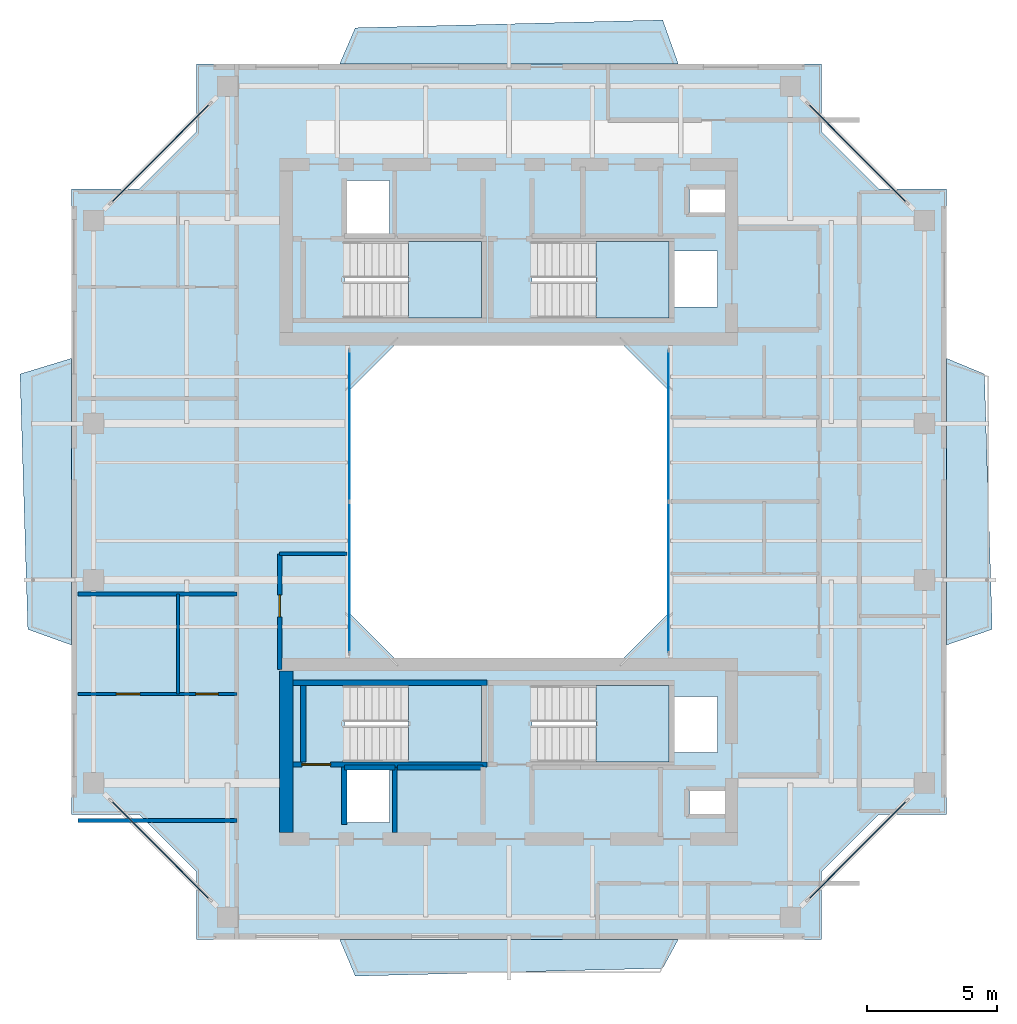
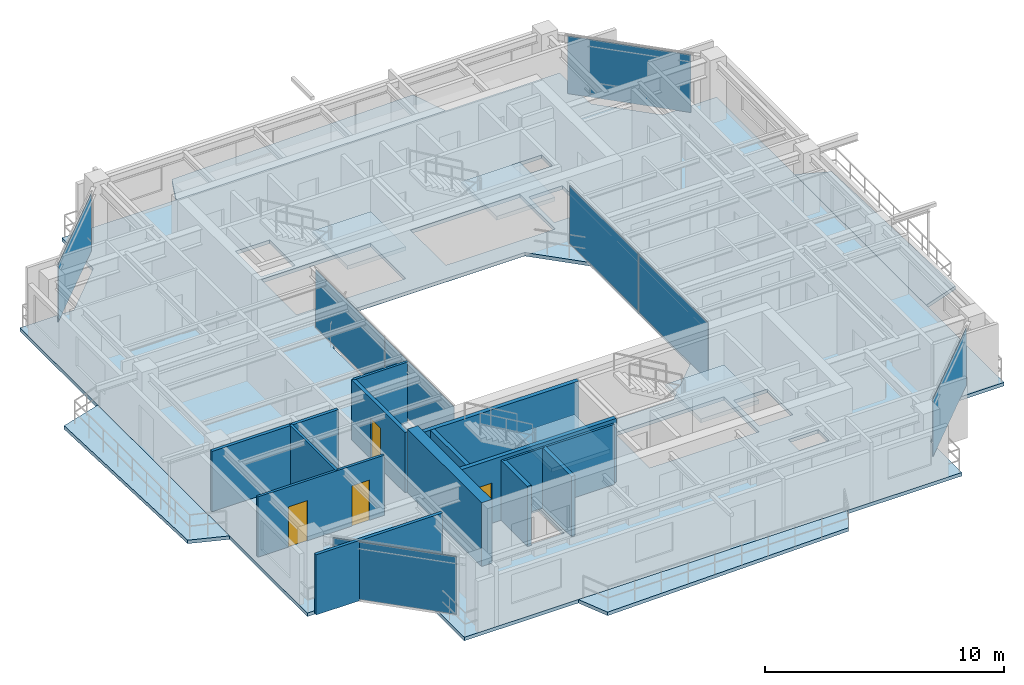
# One storey, part 9 of 15: 14 walls, 9 slabs, 8 plates, 4 doors, 4 openings, 10 elements without a shape of their own.
"""IFC4 building model written with IfcOpenShell, lengths in metres."""

from ifc_helpers import new_model, si_unit, direction, frame, frame_2d, origin, origin_2d, place, context, subcontext, project, spatial, polyline, rectangle, outline, extrude, source, transform, mapped, material, layer, layer_set, type_object, element, fill, aggregate, save


model = new_model("IFC4")

# Units and contexts
model_context = context("Model", 3, precision=1e-05, world=origin(), true_north=direction((0.0, 1.0)))
body_context = subcontext(model_context, "Body", "Model", "MODEL_VIEW")
ifc_project = project(units=[si_unit("LENGTHUNIT", "METRE"), si_unit("AREAUNIT", "SQUARE_METRE"), si_unit("VOLUMEUNIT", "CUBIC_METRE"), si_unit("PLANEANGLEUNIT", "RADIAN"), si_unit("MASSUNIT", "GRAM", prefix="KILO"), si_unit("THERMODYNAMICTEMPERATUREUNIT", "KELVIN"), si_unit("POWERUNIT", "WATT")], contexts=[model_context])

# Site, building, storey
site_placement = place(None, origin())
site = spatial("IfcSite", under=ifc_project, at=site_placement, CompositionType="ELEMENT")
building_placement = place(site_placement, origin())
building = spatial("IfcBuilding", under=site, at=building_placement, Name="Qiaomeng Ring Towers", CompositionType="ELEMENT")
storey_placement = place(building_placement, frame((0.0, 0.0, 206.75)))
storey = spatial("IfcBuildingStorey", under=building, at=storey_placement, Name="L60", CompositionType="ELEMENT", Elevation=206.75)

# Slabs
ifc_material_1 = material(Name="Concrete C40", Category="concrete")
ifc_layer_1 = layer(ifc_material_1, 0.179931640625, Name="Concrete C40")
ifc_layer_set_1 = layer_set([ifc_layer_1], Name="Concrete C40")
slab_type_1 = type_object("IfcSlabType", Name="STR-SL-180", PredefinedType="FLOOR", material=ifc_layer_set_1)
slab_1_placement = place(storey_placement, frame((0.0, 0.0, -0.179931640625)))
element("IfcSlab", 1, at=slab_1_placement, inside=storey, type_object=slab_type_1, Name="L60 Tower 1 Annular Floor Slab", PredefinedType="FLOOR", context=body_context, shape_type="SweptSolid", body=[
    extrude(outline(polyline([(7.0, 6.199951171875), (31.0, 6.199951171875), (31.0, 8.800048828125), (33.199951171875, 11.0), (35.800048828125, 11.0), (35.800048828125, 35.0), (33.199951171875, 35.0), (31.0, 37.199951171875), (31.0, 39.800048828125), (7.0, 39.800048828125), (7.0, 37.199951171875), (4.800048828125, 35.0), (2.199951171875, 35.0), (2.199951171875, 11.0), (4.800048828125, 11.0), (7.0, 8.800048828125), (7.0, 6.199951171875)]), holes=[polyline([(12.780029296875, 10.679931640625), (12.780029296875, 12.820068359375), (14.419921875, 12.820068359375), (14.419921875, 10.679931640625), (12.780029296875, 10.679931640625)]), polyline([(12.679931640625, 13.010009765625), (12.679931640625, 15.949951171875), (17.949951171875, 15.949951171875), (17.949951171875, 13.010009765625), (12.679931640625, 13.010009765625)]), polyline([(23.199951171875, 29.199951171875), (25.199951171875, 27.199951171875), (25.199951171875, 18.800048828125), (23.199951171875, 16.800048828125), (14.800048828125, 16.800048828125), (12.800048828125, 18.800048828125), (12.800048828125, 27.199951171875), (14.800048828125, 29.199951171875), (23.199951171875, 29.199951171875)]), polyline([(12.679931640625, 32.989990234375), (17.949951171875, 32.989990234375), (17.949951171875, 30.050048828125), (12.679931640625, 30.050048828125), (12.679931640625, 32.989990234375)]), polyline([(19.8798828125, 32.989990234375), (25.14990234375, 32.989990234375), (25.14990234375, 30.050048828125), (19.8798828125, 30.050048828125), (19.8798828125, 32.989990234375)]), polyline([(12.780029296875, 33.179931640625), (12.780029296875, 35.320068359375), (14.419921875, 35.320068359375), (14.419921875, 33.179931640625), (12.780029296875, 33.179931640625)]), polyline([(25.919921875, 11.89990234375), (27.360107421875, 11.89990234375), (27.360107421875, 11.0), (25.919921875, 11.0), (25.919921875, 11.89990234375)]), polyline([(25.360107421875, 15.52001953125), (27.0, 15.52001953125), (27.0, 13.3798828125), (25.360107421875, 13.3798828125), (25.360107421875, 15.52001953125)]), polyline([(19.8798828125, 13.010009765625), (19.8798828125, 15.949951171875), (25.14990234375, 15.949951171875), (25.14990234375, 13.010009765625), (19.8798828125, 13.010009765625)]), polyline([(25.360107421875, 32.6201171875), (27.0, 32.6201171875), (27.0, 30.47998046875), (25.360107421875, 30.47998046875), (25.360107421875, 32.6201171875)]), polyline([(25.919921875, 35.0), (27.360107421875, 35.0), (27.360107421875, 34.10009765625), (25.919921875, 34.10009765625), (25.919921875, 35.0)])]), origin(), (0.0, 0.0, 1.0), 0.179931640625),
])
ifc_layer_2 = layer(ifc_material_1, 0.179931640625, Name="Concrete C40")
ifc_layer_set_2 = layer_set([ifc_layer_2], Name="Concrete C40")
slab_type_2 = type_object("IfcSlabType", Name="STR-SL-BAL", PredefinedType="FLOOR", material=ifc_layer_set_2)
slab_2_placement = place(storey_placement, frame((0.0, 0.0, -0.179931640625)))
element("IfcSlab", 2, at=slab_2_placement, inside=storey, type_object=slab_type_2, Name="L60 Tower 1 S Faceted Balcony Slab", PredefinedType="FLOOR", context=body_context, shape_type="SweptSolid", body=[
    extrude(outline(polyline([(25.5, 6.199951171875), (24.89990234375, 5.090087890625), (13.10009765625, 4.7900390625), (12.5, 6.199951171875), (25.5, 6.199951171875)])), origin(), (0.0, 0.0, 1.0), 0.179931640625),
])
slab_3_placement = place(storey_placement, frame((0.0, 0.0, -0.179931640625)))
element("IfcSlab", 3, at=slab_3_placement, inside=storey, type_object=slab_type_2, Name="L60 Tower 1 E Faceted Balcony Slab", PredefinedType="FLOOR", context=body_context, shape_type="SweptSolid", body=[
    extrude(outline(polyline([(37.25, 27.89990234375), (37.550048828125, 18.10009765625), (35.800048828125, 17.5), (35.800048828125, 28.5), (37.25, 27.89990234375)])), origin(), (0.0, 0.0, 1.0), 0.179931640625),
])
slab_4_placement = place(storey_placement, frame((0.0, 0.0, -0.179931640625)))
element("IfcSlab", 4, at=slab_4_placement, inside=storey, type_object=slab_type_2, Name="L60 Tower 1 N Faceted Balcony Slab", PredefinedType="FLOOR", context=body_context, shape_type="SweptSolid", body=[
    extrude(outline(polyline([(12.5, 39.800048828125), (13.10009765625, 41.18994140625), (24.89990234375, 41.489990234375), (25.5, 39.800048828125), (12.5, 39.800048828125)])), origin(), (0.0, 0.0, 1.0), 0.179931640625),
])
slab_5_placement = place(storey_placement, frame((0.0, 0.0, -0.179931640625)))
element("IfcSlab", 5, at=slab_5_placement, inside=storey, type_object=slab_type_2, Name="L60 Tower 1 W Faceted Balcony Slab", PredefinedType="FLOOR", context=body_context, shape_type="SweptSolid", body=[
    extrude(outline(polyline([(0.530029296875, 18.10009765625), (0.22998046875, 27.89990234375), (2.199951171875, 28.5), (2.199951171875, 17.5), (0.530029296875, 18.10009765625)])), origin(), (0.0, 0.0, 1.0), 0.179931640625),
])

# Stair, slab
ifc_material_2 = material(Name="Precast concrete C40", Category="concrete")
stair_type = type_object("IfcStairType", Name="ARC-ST-325", PredefinedType="HALF_TURN_STAIR", material=ifc_material_2)
stair_1_placement = place(storey_placement, origin())
stair_1 = element("IfcStair", 6, at=stair_1_placement, inside=storey, type_object=stair_type, Name="L60 Tower 1 North Stair 1", PredefinedType="HALF_TURN_STAIR")
ifc_layer_3 = layer(ifc_material_1, 0.199951171875, Name="Concrete C40")
ifc_layer_set_3 = layer_set([ifc_layer_3], Name="Concrete C40")
slab_type_3 = type_object("IfcSlabType", Name="STR-SL-LANDING", PredefinedType="LANDING", material=ifc_layer_set_3)
slab_6_placement = place(storey_placement, frame((0.0, 0.0, 1.425048828125)))
slab_6 = element("IfcSlab", 7, at=slab_6_placement, type_object=slab_type_3, Name="ST1 landing 1", PredefinedType="LANDING", context=body_context, shape_type="SweptSolid", body=[
    extrude(outline(polyline([(15.139892578125, 30.050048828125), (17.949951171875, 30.050048828125), (17.949951171875, 32.989990234375), (15.139892578125, 32.989990234375), (15.139892578125, 30.050048828125)])), origin(), (0.0, 0.0, 1.0), 0.199951171875),
])
aggregate(stair_1, [slab_6])

stair_2_placement = place(storey_placement, origin())
stair_2 = element("IfcStair", 8, at=stair_2_placement, inside=storey, type_object=stair_type, Name="L60 Tower 1 North Stair 2", PredefinedType="HALF_TURN_STAIR")
slab_7_placement = place(storey_placement, frame((0.0, 0.0, 1.425048828125)))
slab_7 = element("IfcSlab", 9, at=slab_7_placement, type_object=slab_type_3, Name="ST2 landing 1", PredefinedType="LANDING", context=body_context, shape_type="SweptSolid", body=[
    extrude(outline(polyline([(22.340087890625, 30.050048828125), (25.14990234375, 30.050048828125), (25.14990234375, 32.989990234375), (22.340087890625, 32.989990234375), (22.340087890625, 30.050048828125)])), origin(), (0.0, 0.0, 1.0), 0.199951171875),
])
aggregate(stair_2, [slab_7])

stair_3_placement = place(storey_placement, origin())
stair_3 = element("IfcStair", 10, at=stair_3_placement, inside=storey, type_object=stair_type, Name="L60 Tower 1 South Stair 3", PredefinedType="HALF_TURN_STAIR")
slab_8_placement = place(storey_placement, frame((0.0, 0.0, 1.425048828125)))
slab_8 = element("IfcSlab", 11, at=slab_8_placement, type_object=slab_type_3, Name="ST3 landing 1", PredefinedType="LANDING", context=body_context, shape_type="SweptSolid", body=[
    extrude(outline(polyline([(15.139892578125, 13.010009765625), (17.949951171875, 13.010009765625), (17.949951171875, 15.949951171875), (15.139892578125, 15.949951171875), (15.139892578125, 13.010009765625)])), origin(), (0.0, 0.0, 1.0), 0.199951171875),
])
aggregate(stair_3, [slab_8])

stair_4_placement = place(storey_placement, origin())
stair_4 = element("IfcStair", 12, at=stair_4_placement, inside=storey, type_object=stair_type, Name="L60 Tower 1 South Stair 4", PredefinedType="HALF_TURN_STAIR")
slab_9_placement = place(storey_placement, frame((0.0, 0.0, 1.425048828125)))
slab_9 = element("IfcSlab", 13, at=slab_9_placement, type_object=slab_type_3, Name="ST4 landing 1", PredefinedType="LANDING", context=body_context, shape_type="SweptSolid", body=[
    extrude(outline(polyline([(22.340087890625, 13.010009765625), (25.14990234375, 13.010009765625), (25.14990234375, 15.949951171875), (22.340087890625, 15.949951171875), (22.340087890625, 13.010009765625)])), origin(), (0.0, 0.0, 1.0), 0.199951171875),
])
aggregate(stair_4, [slab_9])

# Curtain wall, plates
ifc_material_3 = material(Name="Fluorocarbon dark-grey aluminium", Category="aluminium")
ifc_layer_4 = layer(ifc_material_3, 0.139892578125, Name="Fluorocarbon dark-grey aluminium")
ifc_layer_set_4 = layer_set([ifc_layer_4], Name="Fluorocarbon dark-grey aluminium")
curtain_wall_type_1 = type_object("IfcCurtainWallType", Name="ARC-CW-4", PredefinedType="NOTDEFINED", material=ifc_layer_set_4)
curtain_wall_1_placement = place(storey_placement, origin())
curtain_wall_1 = element("IfcCurtainWall", 14, at=curtain_wall_1_placement, inside=storey, type_object=curtain_wall_type_1, Name="L60 Curtain Wall CW4", PredefinedType="NOTDEFINED")
ifc_material_4 = material(Name="Low-E dark-grey laminated double glazing", Category="glass")
ifc_layer_5 = layer(ifc_material_4, 0.028076171875, Name="Low-E dark-grey laminated double glazing")
ifc_layer_set_5 = layer_set([ifc_layer_5], Name="Low-E dark-grey laminated double glazing")
plate_type = type_object("IfcPlateType", Name="ARC-CWP-DARK", PredefinedType="CURTAIN_PANEL", material=ifc_layer_set_5)
shared_shape_1 = source(origin(), body_context, "Body", "SweptSolid", [
    extrude(rectangle(XDim=5.75244140625, YDim=0.028076171875, at=origin_2d()), origin(), (0.0, 0.0, 1.0), 2.93994140625),
])
plate_1_placement = place(storey_placement, frame((12.8798828125, 20.09130859375, 0.06494140625), z_axis=(0.0, 0.0, 1.0), x_axis=(0.0, 1.0, 0.0)))
plate_1 = element("IfcPlate", 15, at=plate_1_placement, type_object=plate_type, Name="CW4 panel 1.1", PredefinedType="CURTAIN_PANEL", context=body_context, shape_type="MappedRepresentation", body=[
    mapped(shared_shape_1, transform((0.0, 0.0, 0.0), x_axis=(1.0, 0.0, 0.0), y_axis=(0.0, 1.0, 0.0), z_axis=(0.0, 0.0, 1.0), scale=1.0)),
])
plate_2_placement = place(storey_placement, frame((12.8798828125, 25.90869140625, 0.06494140625), z_axis=(0.0, 0.0, 1.0), x_axis=(0.0, 1.0, 0.0)))
plate_2 = element("IfcPlate", 16, at=plate_2_placement, type_object=plate_type, Name="CW4 panel 2.1", PredefinedType="CURTAIN_PANEL", context=body_context, shape_type="MappedRepresentation", body=[
    mapped(shared_shape_1, transform((0.0, 0.0, 0.0), x_axis=(1.0, 0.0, 0.0), y_axis=(0.0, 1.0, 0.0), z_axis=(0.0, 0.0, 1.0), scale=1.0)),
])
aggregate(curtain_wall_1, [plate_1, plate_2])

curtain_wall_2_placement = place(storey_placement, origin())
curtain_wall_2 = element("IfcCurtainWall", 17, at=curtain_wall_2_placement, inside=storey, type_object=curtain_wall_type_1, Name="L60 Curtain Wall CW4", PredefinedType="NOTDEFINED")
plate_3_placement = place(storey_placement, frame((25.1201171875, 20.09130859375, 0.06494140625), z_axis=(0.0, 0.0, 1.0), x_axis=(0.0, 1.0, 0.0)))
plate_3 = element("IfcPlate", 18, at=plate_3_placement, type_object=plate_type, Name="CW4 panel 1.1", PredefinedType="CURTAIN_PANEL", context=body_context, shape_type="MappedRepresentation", body=[
    mapped(shared_shape_1, transform((0.0, 0.0, 0.0), x_axis=(1.0, 0.0, 0.0), y_axis=(0.0, 1.0, 0.0), z_axis=(0.0, 0.0, 1.0), scale=1.0)),
])
plate_4_placement = place(storey_placement, frame((25.1201171875, 25.90869140625, 0.06494140625), z_axis=(0.0, 0.0, 1.0), x_axis=(0.0, 1.0, 0.0)))
plate_4 = element("IfcPlate", 19, at=plate_4_placement, type_object=plate_type, Name="CW4 panel 2.1", PredefinedType="CURTAIN_PANEL", context=body_context, shape_type="MappedRepresentation", body=[
    mapped(shared_shape_1, transform((0.0, 0.0, 0.0), x_axis=(1.0, 0.0, 0.0), y_axis=(0.0, 1.0, 0.0), z_axis=(0.0, 0.0, 1.0), scale=1.0)),
])
aggregate(curtain_wall_2, [plate_3, plate_4])

# Curtain wall, plate
ifc_layer_6 = layer(ifc_material_3, 0.14990234375, Name="Fluorocarbon dark-grey aluminium")
ifc_layer_set_6 = layer_set([ifc_layer_6], Name="Fluorocarbon dark-grey aluminium")
curtain_wall_type_2 = type_object("IfcCurtainWallType", Name="ARC-CW-3", PredefinedType="NOTDEFINED", material=ifc_layer_set_6)
curtain_wall_3_placement = place(storey_placement, origin())
curtain_wall_3 = element("IfcCurtainWall", 20, at=curtain_wall_3_placement, inside=storey, type_object=curtain_wall_type_2, Name="L60 Curtain Wall CW3", PredefinedType="NOTDEFINED")
shared_shape_2 = source(origin(), body_context, "Body", "SweptSolid", [
    extrude(rectangle(XDim=5.3330078125, YDim=0.028076171875, at=origin_2d()), origin(), (0.0, 0.0, 1.0), 2.93994140625),
])
plate_5_placement = place(storey_placement, frame((32.375, 9.625, 0.06494140625), z_axis=(0.0, 0.0, 1.0), x_axis=(0.707106781187, 0.707106781187, 0.0)))
plate_5 = element("IfcPlate", 21, at=plate_5_placement, type_object=plate_type, Name="CW3 panel 1.1", PredefinedType="CURTAIN_PANEL", context=body_context, shape_type="MappedRepresentation", body=[
    mapped(shared_shape_2, transform((0.0, 0.0, 0.0), x_axis=(1.0, 0.0, 0.0), y_axis=(0.0, 1.0, 0.0), z_axis=(0.0, 0.0, 1.0), scale=1.0)),
])
aggregate(curtain_wall_3, [plate_5])

curtain_wall_4_placement = place(storey_placement, origin())
curtain_wall_4 = element("IfcCurtainWall", 22, at=curtain_wall_4_placement, inside=storey, type_object=curtain_wall_type_2, Name="L60 Curtain Wall CW3", PredefinedType="NOTDEFINED")
plate_6_placement = place(storey_placement, frame((32.375, 36.375, 0.06494140625), z_axis=(0.0, 0.0, 1.0), x_axis=(-0.707106781187, 0.707106781187, 0.0)))
plate_6 = element("IfcPlate", 23, at=plate_6_placement, type_object=plate_type, Name="CW3 panel 1.1", PredefinedType="CURTAIN_PANEL", context=body_context, shape_type="MappedRepresentation", body=[
    mapped(shared_shape_2, transform((0.0, 0.0, 0.0), x_axis=(1.0, 0.0, 0.0), y_axis=(0.0, 1.0, 0.0), z_axis=(0.0, 0.0, 1.0), scale=1.0)),
])
aggregate(curtain_wall_4, [plate_6])

curtain_wall_5_placement = place(storey_placement, origin())
curtain_wall_5 = element("IfcCurtainWall", 24, at=curtain_wall_5_placement, inside=storey, type_object=curtain_wall_type_2, Name="L60 Curtain Wall CW3", PredefinedType="NOTDEFINED")
plate_7_placement = place(storey_placement, frame((5.625, 36.375, 0.06494140625), z_axis=(0.0, 0.0, 1.0), x_axis=(-0.707106781187, -0.707106781187, 0.0)))
plate_7 = element("IfcPlate", 25, at=plate_7_placement, type_object=plate_type, Name="CW3 panel 1.1", PredefinedType="CURTAIN_PANEL", context=body_context, shape_type="MappedRepresentation", body=[
    mapped(shared_shape_2, transform((0.0, 0.0, 0.0), x_axis=(1.0, 0.0, 0.0), y_axis=(0.0, 1.0, 0.0), z_axis=(0.0, 0.0, 1.0), scale=1.0)),
])
aggregate(curtain_wall_5, [plate_7])

curtain_wall_6_placement = place(storey_placement, origin())
curtain_wall_6 = element("IfcCurtainWall", 26, at=curtain_wall_6_placement, inside=storey, type_object=curtain_wall_type_2, Name="L60 Curtain Wall CW3", PredefinedType="NOTDEFINED")
plate_8_placement = place(storey_placement, frame((5.625, 9.625, 0.06494140625), z_axis=(0.0, 0.0, 1.0), x_axis=(0.707106781187, -0.707106781187, 0.0)))
plate_8 = element("IfcPlate", 27, at=plate_8_placement, type_object=plate_type, Name="CW3 panel 1.1", PredefinedType="CURTAIN_PANEL", context=body_context, shape_type="MappedRepresentation", body=[
    mapped(shared_shape_2, transform((0.0, 0.0, 0.0), x_axis=(1.0, 0.0, 0.0), y_axis=(0.0, 1.0, 0.0), z_axis=(0.0, 0.0, 1.0), scale=1.0)),
])
aggregate(curtain_wall_6, [plate_8])

# Walls
ifc_material_5 = material(Name="Autoclaved aerated concrete block", Category="concrete")
ifc_layer_7 = layer(ifc_material_5, 0.199951171875, Name="Autoclaved aerated concrete block")
ifc_layer_set_7 = layer_set([ifc_layer_7], Name="Autoclaved aerated concrete block")
wall_type_1 = type_object("IfcWallType", Name="ARC-WL-PW1", PredefinedType="PARTITIONING", material=ifc_layer_set_7)
wall_1_placement = place(storey_placement, frame((12.679931640625, 10.60009765625, 0.0), z_axis=(0.0, 0.0, 1.0), x_axis=(0.0, 1.0, 0.0)))
element("IfcWall", 28, at=wall_1_placement, inside=storey, type_object=wall_type_1, Name="L60 Interior Wall PW1", PredefinedType="PARTITIONING", context=body_context, shape_type="SweptSolid", body=[
    extrude(rectangle(XDim=2.2099609375, YDim=0.199951171875, at=frame_2d((1.10498046875, 0.0))), origin(), (0.0, 0.0, 1.0), 3.070068359375),
])
wall_2_placement = place(storey_placement, frame((14.719970703125, 12.800048828125, 0.0), z_axis=(0.0, 0.0, 1.0), x_axis=(1.0, 0.0, 0.0)))
element("IfcWall", 29, at=wall_2_placement, inside=storey, type_object=wall_type_1, Name="L60 Interior Wall PW1", PredefinedType="PARTITIONING", context=body_context, shape_type="SweptSolid", body=[
    extrude(rectangle(XDim=3.280029296875, YDim=0.199951171875, at=frame_2d((1.64013671875, 0.0))), origin(), (0.0, 0.0, 1.0), 3.070068359375),
])

# Wall, opening, door
ifc_layer_8 = layer(ifc_material_5, 0.179931640625, Name="Autoclaved aerated concrete block")
ifc_layer_set_8 = layer_set([ifc_layer_8], Name="Autoclaved aerated concrete block")
wall_type_2 = type_object("IfcWallType", Name="ARC-WL-PW2", PredefinedType="PARTITIONING", material=ifc_layer_set_8)
wall_3_placement = place(storey_placement, frame((10.199951171875, 16.550048828125, 0.0), z_axis=(0.0, 0.0, 1.0), x_axis=(0.0, 1.0, 0.0)))
wall_3 = element("IfcWall", 30, at=wall_3_placement, inside=storey, type_object=wall_type_2, Name="L60 Interior Wall PW2", PredefinedType="PARTITIONING", context=body_context, shape_type="SweptSolid", body=[
    extrude(rectangle(XDim=4.449951171875, YDim=0.179931640625, at=frame_2d((2.22509765625, 0.0))), origin(), (0.0, 0.0, 1.0), 3.070068359375),
])
opening_1_placement = place(wall_3_placement, frame((2.02490234375, 0.0, 0.0)))
opening_1 = element("IfcOpeningElement", 31, at=opening_1_placement, cuts=wall_3, Name="Opening ID2", PredefinedType="OPENING", context=body_context, shape_type="SweptSolid", body=[
    extrude(rectangle(XDim=0.85009765625, YDim=2.050048828125, at=frame_2d((0.425048828125, 1.02490234375))), frame((0.0, 0.099853515625, 0.0), z_axis=(0.0, -1.0, 0.0), x_axis=(1.0, 0.0, 0.0)), (0.0, 0.0, 1.0), 0.199951171875),
])
ifc_material_6 = material(Name="Moisture-resistant engineered timber", Category="wood")
door_type_1 = type_object("IfcDoorType", Name="ARC-DR-ID2", OperationType="NOTDEFINED", PredefinedType="DOOR", material=ifc_material_6)
shared_shape_3 = source(origin(), body_context, "Body", "SweptSolid", [
    extrude(rectangle(XDim=0.85009765625, YDim=2.050048828125, at=frame_2d((0.425048828125, 1.02490234375))), frame((0.0, 0.02490234375, 0.0), z_axis=(0.0, -1.0, 0.0), x_axis=(1.0, 0.0, 0.0)), (0.0, 0.0, 1.0), 0.050048828125),
])
door_1_placement = place(opening_1_placement, origin())
door_1 = element("IfcDoor", 32, at=door_1_placement, inside=storey, type_object=door_type_1, Name="L60 Door ID2", OperationType="SINGLE_SWING_RIGHT", OverallHeight=2.050048828125, OverallWidth=0.85009765625, PredefinedType="DOOR", context=body_context, shape_type="MappedRepresentation", body=[
    mapped(shared_shape_3, transform((0.0, 0.0, 0.0), x_axis=(1.0, 0.0, 0.0), y_axis=(0.0, 1.0, 0.0), z_axis=(0.0, 0.0, 1.0), scale=1.0)),
])
fill(opening_1, door_1)

# Walls
ifc_material_7 = material(Name="Gypsum fireboard steel-stud partition", Category="steel")
ifc_layer_9 = layer(ifc_material_7, 0.14990234375, Name="Gypsum fireboard steel-stud partition")
ifc_layer_set_9 = layer_set([ifc_layer_9], Name="Gypsum fireboard steel-stud partition")
wall_type_3 = type_object("IfcWallType", Name="ARC-WL-PW3", PredefinedType="PARTITIONING", material=ifc_layer_set_9)
for number, where, z_axis, x_axis, name in (
    (33, (2.449951171875, 10.77001953125, 0.0), (0.0, 0.0, 1.0), (1.0, 0.0, 0.0), "L60 Interior Wall PW3"),
    (34, (2.449951171875, 19.4599609375, 0.0), (0.0, 0.0, 1.0), (1.0, 0.0, 0.0), "L60 Interior Wall PW3"),
):
    element("IfcWall", number, at=place(storey_placement, frame(where, z_axis=z_axis, x_axis=x_axis)), inside=storey, type_object=wall_type_3, Name=name, PredefinedType="PARTITIONING", context=body_context, shape_type="SweptSolid", body=[
        extrude(rectangle(XDim=6.10009765625, YDim=0.14990234375, at=frame_2d((3.050048828125, 0.0))), origin(), (0.0, 0.0, 1.0), 3.070068359375),
    ])

# Wall, openings, doors
ifc_material_8 = material(Name="Moisture-resistant gypsum steel-stud partition", Category="steel")
ifc_layer_10 = layer(ifc_material_8, 0.1201171875, Name="Moisture-resistant gypsum steel-stud partition")
ifc_layer_set_10 = layer_set([ifc_layer_10], Name="Moisture-resistant gypsum steel-stud partition")
wall_type_4 = type_object("IfcWallType", Name="ARC-WL-PW4", PredefinedType="PLUMBINGWALL", material=ifc_layer_set_10)
wall_4_placement = place(storey_placement, frame((2.449951171875, 15.6201171875, 0.0), z_axis=(0.0, 0.0, 1.0), x_axis=(1.0, 0.0, 0.0)))
wall_4 = element("IfcWall", 35, at=wall_4_placement, inside=storey, type_object=wall_type_4, Name="L60 Interior Wall PW4", PredefinedType="PLUMBINGWALL", context=body_context, shape_type="SweptSolid", body=[
    extrude(rectangle(XDim=6.10009765625, YDim=0.1201171875, at=frame_2d((3.050048828125, 0.0))), origin(), (0.0, 0.0, 1.0), 3.070068359375),
])
opening_2_placement = place(wall_4_placement, frame((1.47998046875, 0.0, 0.0)))
opening_2 = element("IfcOpeningElement", 36, at=opening_2_placement, cuts=wall_4, Name="Opening ID1", PredefinedType="OPENING", context=body_context, shape_type="SweptSolid", body=[
    extrude(rectangle(XDim=0.89990234375, YDim=2.050048828125, at=frame_2d((0.449951171875, 1.02490234375))), frame((0.0, 0.070068359375, 0.0), z_axis=(0.0, -1.0, 0.0), x_axis=(1.0, 0.0, 0.0)), (0.0, 0.0, 1.0), 0.14013671875),
])
opening_3_placement = place(wall_4_placement, frame((4.534912109375, 0.0, 0.0)))
opening_3 = element("IfcOpeningElement", 37, at=opening_3_placement, cuts=wall_4, Name="Opening ID2", PredefinedType="OPENING", context=body_context, shape_type="SweptSolid", body=[
    extrude(rectangle(XDim=0.85009765625, YDim=2.050048828125, at=frame_2d((0.425048828125, 1.02490234375))), frame((0.0, 0.070068359375, 0.0), z_axis=(0.0, -1.0, 0.0), x_axis=(1.0, 0.0, 0.0)), (0.0, 0.0, 1.0), 0.14013671875),
])
door_2_placement = place(opening_3_placement, origin())
door_2 = element("IfcDoor", 38, at=door_2_placement, inside=storey, type_object=door_type_1, Name="L60 Door ID2", OperationType="SINGLE_SWING_RIGHT", OverallHeight=2.050048828125, OverallWidth=0.85009765625, PredefinedType="DOOR", context=body_context, shape_type="MappedRepresentation", body=[
    mapped(shared_shape_3, transform((0.0, 0.0, 0.0), x_axis=(1.0, 0.0, 0.0), y_axis=(0.0, 1.0, 0.0), z_axis=(0.0, 0.0, 1.0), scale=1.0)),
])
fill(opening_3, door_2)
ifc_material_9 = material(Name="Engineered oak timber", Category="wood")
door_type_2 = type_object("IfcDoorType", Name="ARC-DR-ID1", OperationType="NOTDEFINED", PredefinedType="DOOR", material=ifc_material_9)
shared_shape_4 = source(origin(), body_context, "Body", "SweptSolid", [
    extrude(rectangle(XDim=0.89990234375, YDim=2.050048828125, at=frame_2d((0.449951171875, 1.02490234375))), frame((0.0, 0.02490234375, 0.0), z_axis=(0.0, -1.0, 0.0), x_axis=(1.0, 0.0, 0.0)), (0.0, 0.0, 1.0), 0.050048828125),
])
door_3_placement = place(opening_2_placement, origin())
door_3 = element("IfcDoor", 39, at=door_3_placement, inside=storey, type_object=door_type_2, Name="L60 Door ID1", OperationType="SINGLE_SWING_LEFT", OverallHeight=2.050048828125, OverallWidth=0.89990234375, PredefinedType="DOOR", context=body_context, shape_type="MappedRepresentation", body=[
    mapped(shared_shape_4, transform((0.0, 0.0, 0.0), x_axis=(1.0, 0.0, 0.0), y_axis=(0.0, 1.0, 0.0), z_axis=(0.0, 0.0, 1.0), scale=1.0)),
])
fill(opening_2, door_3)

# Walls
wall_5_placement = place(storey_placement, frame((6.2900390625, 15.6201171875, 0.0), z_axis=(0.0, 0.0, 1.0), x_axis=(0.0, 1.0, 0.0)))
element("IfcWall", 40, at=wall_5_placement, inside=storey, type_object=wall_type_4, Name="L60 Interior Wall PW4", PredefinedType="PLUMBINGWALL", context=body_context, shape_type="SweptSolid", body=[
    extrude(rectangle(XDim=3.83984375, YDim=0.1201171875, at=frame_2d((1.919921875, 0.0))), origin(), (0.0, 0.0, 1.0), 3.070068359375),
])
wall_6_placement = place(storey_placement, frame((10.199951171875, 21.0, 0.0), z_axis=(0.0, 0.0, 1.0), x_axis=(1.0, 0.0, 0.0)))
element("IfcWall", 41, at=wall_6_placement, inside=storey, type_object=wall_type_4, Name="L60 Interior Wall PW4", PredefinedType="PLUMBINGWALL", context=body_context, shape_type="SweptSolid", body=[
    extrude(rectangle(XDim=2.580078125, YDim=0.1201171875, at=frame_2d((1.2900390625, 0.0))), origin(), (0.0, 0.0, 1.0), 3.070068359375),
])
ifc_layer_11 = layer(ifc_material_1, 0.199951171875, Name="Concrete C40")
ifc_layer_set_11 = layer_set([ifc_layer_11], Name="Concrete C40")
wall_type_5 = type_object("IfcWallType", Name="STR-WL-STSHAFT", PredefinedType="SHEAR", material=ifc_layer_set_11)
wall_7_placement = place(storey_placement, frame((12.679931640625, 12.800048828125, 0.0), z_axis=(0.0, 0.0, 1.0), x_axis=(1.0, 0.0, 0.0)))
element("IfcWall", 42, at=wall_7_placement, inside=storey, type_object=wall_type_5, Name="L60 Lift LP6 Shaft Back Wall", PredefinedType="SHEAR", context=body_context, shape_type="SweptSolid", body=[
    extrude(rectangle(XDim=1.940185546875, YDim=0.179931640625, at=frame_2d((0.97021484375, 0.0))), origin(), (0.0, 0.0, 1.0), 3.070068359375),
])
wall_8_placement = place(storey_placement, frame((14.6201171875, 10.300048828125, 0.0), z_axis=(0.0, 0.0, 1.0), x_axis=(0.0, 1.0, 0.0)))
element("IfcWall", 43, at=wall_8_placement, inside=storey, type_object=wall_type_5, Name="L60 Lift LP6-LP4 Shaft Divider Wall", PredefinedType="SHEAR", context=body_context, shape_type="SweptSolid", body=[
    extrude(rectangle(XDim=2.5, YDim=0.179931640625, at=frame_2d((1.25, 0.0))), origin(), (0.0, 0.0, 1.0), 3.070068359375),
])

# Wall, opening, door
wall_9_placement = place(storey_placement, frame((10.699951171875, 12.909912109375, 0.0), z_axis=(0.0, 0.0, 1.0), x_axis=(1.0, 0.0, 0.0)))
wall_9 = element("IfcWall", 44, at=wall_9_placement, inside=storey, type_object=wall_type_5, Name="L60 Stair ST3 South Shaft Shear Wall", PredefinedType="SHEAR", context=body_context, shape_type="SweptSolid", body=[
    extrude(rectangle(XDim=7.449951171875, YDim=0.199951171875, at=frame_2d((3.72509765625, 0.0))), origin(), (0.0, 0.0, 1.0), 3.25),
])
opening_4_placement = place(wall_9_placement, frame((0.35009765625, 0.0, 0.0)))
opening_4 = element("IfcOpeningElement", 45, at=opening_4_placement, cuts=wall_9, Name="Opening FD3", PredefinedType="OPENING", context=body_context, shape_type="SweptSolid", body=[
    extrude(rectangle(XDim=1.10009765625, YDim=2.050048828125, at=frame_2d((0.550048828125, 1.02490234375))), frame((0.0, 0.10986328125, 0.0), z_axis=(0.0, -1.0, 0.0), x_axis=(1.0, 0.0, 0.0)), (0.0, 0.0, 1.0), 0.219970703125),
])
ifc_material_10 = material(Name="Galvanised steel", Category="steel")
door_type_3 = type_object("IfcDoorType", Name="ARC-DR-FD3", OperationType="NOTDEFINED", PredefinedType="DOOR", material=ifc_material_10)
shared_shape_5 = source(origin(), body_context, "Body", "SweptSolid", [
    extrude(rectangle(XDim=1.10009765625, YDim=2.050048828125, at=frame_2d((0.550048828125, 1.02490234375))), frame((0.0, 0.02490234375, 0.0), z_axis=(0.0, -1.0, 0.0), x_axis=(1.0, 0.0, 0.0)), (0.0, 0.0, 1.0), 0.050048828125),
])
door_4_placement = place(opening_4_placement, frame((1.10009765625, 0.0, 0.0), z_axis=(0.0, 0.0, 1.0), x_axis=(-1.0, 0.0, 0.0)))
door_4 = element("IfcDoor", 46, at=door_4_placement, inside=storey, type_object=door_type_3, Name="L60 Stair ST3 Exit Door", OperationType="SINGLE_SWING_RIGHT", OverallHeight=2.050048828125, OverallWidth=1.10009765625, PredefinedType="DOOR", context=body_context, shape_type="MappedRepresentation", body=[
    mapped(shared_shape_5, transform((0.0, 0.0, 0.0), x_axis=(1.0, 0.0, 0.0), y_axis=(0.0, 1.0, 0.0), z_axis=(0.0, 0.0, 1.0), scale=1.0)),
])
fill(opening_4, door_4)

# Walls
wall_10_placement = place(storey_placement, frame((10.699951171875, 16.050048828125, 0.0), z_axis=(0.0, 0.0, 1.0), x_axis=(1.0, 0.0, 0.0)))
element("IfcWall", 47, at=wall_10_placement, inside=storey, type_object=wall_type_5, Name="L60 Stair ST3 North Shaft Shear Wall", PredefinedType="SHEAR", context=body_context, shape_type="SweptSolid", body=[
    extrude(rectangle(XDim=7.449951171875, YDim=0.199951171875, at=frame_2d((3.72509765625, 0.0))), origin(), (0.0, 0.0, 1.0), 3.25),
])
wall_11_placement = place(storey_placement, frame((11.10009765625, 13.010009765625, 0.0), z_axis=(0.0, 0.0, 1.0), x_axis=(0.0, 1.0, 0.0)))
element("IfcWall", 48, at=wall_11_placement, inside=storey, type_object=wall_type_5, Name="L60 Stair ST3 West Shaft Shear Wall", PredefinedType="SHEAR", context=body_context, shape_type="SweptSolid", body=[
    extrude(rectangle(XDim=2.93994140625, YDim=0.199951171875, at=frame_2d((1.469970703125, 0.0))), origin(), (0.0, 0.0, 1.0), 3.25),
])
ifc_layer_12 = layer(ifc_material_1, 0.5, Name="Concrete C40")
ifc_layer_set_12 = layer_set([ifc_layer_12], Name="Concrete C40")
wall_type_6 = type_object("IfcWallType", Name="STR-WL-SW3", PredefinedType="SHEAR", material=ifc_layer_set_12)
wall_12_placement = place(storey_placement, frame((10.449951171875, 10.300048828125, 0.0), z_axis=(0.0, 0.0, 1.0), x_axis=(0.0, 1.0, 0.0)))
element("IfcWall", 49, at=wall_12_placement, inside=storey, type_object=wall_type_6, Name="L60 T1SC west core shear wall", PredefinedType="SHEAR", context=body_context, shape_type="SweptSolid", body=[
    extrude(rectangle(XDim=6.199951171875, YDim=0.5, at=frame_2d((3.10009765625, 0.0))), origin(), (0.0, 0.0, 1.0), 3.25),
])

save(model, "model.ifc")
